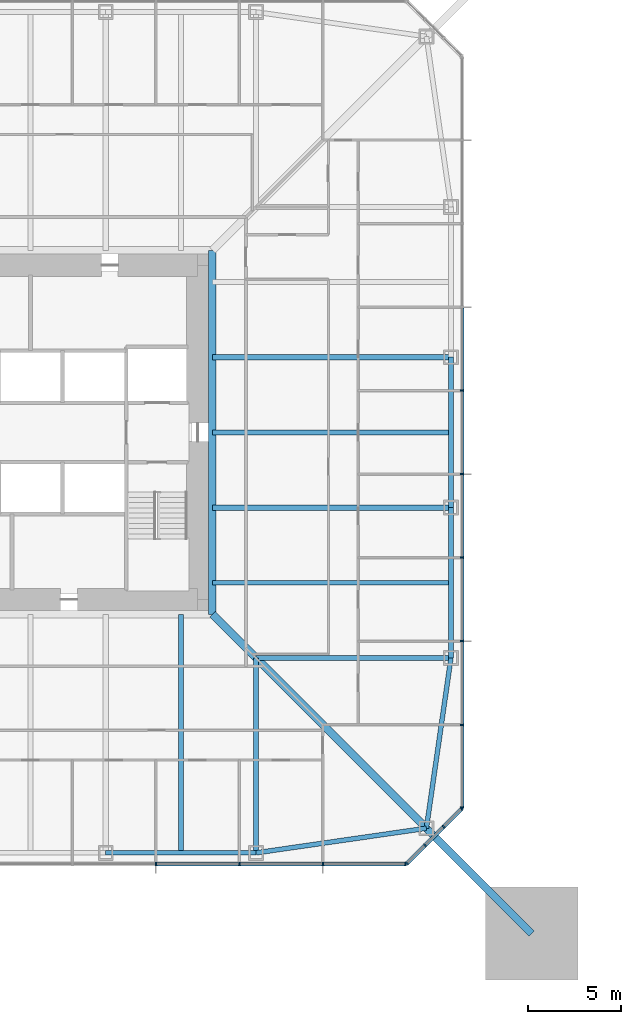
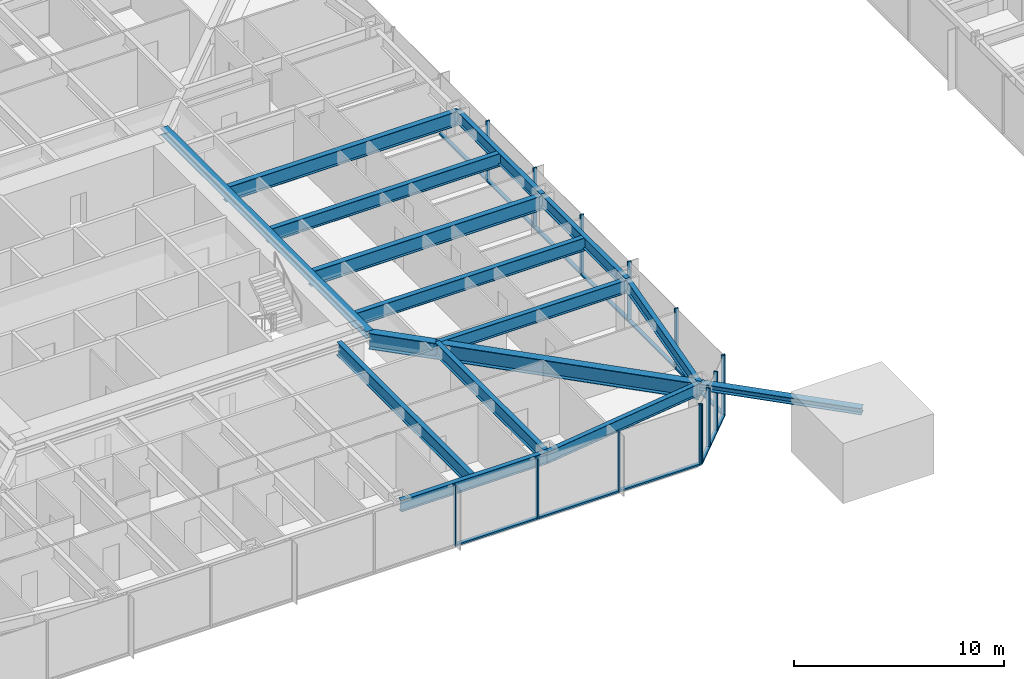
# One storey, part 5 of 26: 27 members, 14 beams, 3 elements without a shape of their own.
"""IFC4 building model written with IfcOpenShell, lengths in metres."""

from ifc_helpers import new_model, si_unit, direction, frame, origin, origin_2d, place, context, subcontext, project, spatial, rectangle, i_section, extrude, material, material_profile, profile_set, type_object, element, aggregate, save


model = new_model("IFC4")

# Units and contexts
model_context = context("Model", 3, precision=1e-05, world=origin(), true_north=direction((0.0, 1.0)))
body_context = subcontext(model_context, "Body", "Model", "MODEL_VIEW")
ifc_project = project(units=[si_unit("LENGTHUNIT", "METRE"), si_unit("AREAUNIT", "SQUARE_METRE"), si_unit("VOLUMEUNIT", "CUBIC_METRE"), si_unit("PLANEANGLEUNIT", "RADIAN"), si_unit("MASSUNIT", "GRAM", prefix="KILO")], contexts=[model_context])

# Site, building, storey
site_placement = place(None, origin())
site = spatial("IfcSite", under=ifc_project, at=site_placement, CompositionType="ELEMENT")
building_placement = place(site_placement, origin())
building = spatial("IfcBuilding", under=site, at=building_placement, Name="Iwan Alto Co-Living Towers", CompositionType="ELEMENT")
storey_placement = place(building_placement, frame((0.0, 0.0, 18.5)))
storey = spatial("IfcBuildingStorey", under=building, at=storey_placement, Name="L04", CompositionType="ELEMENT", Elevation=18.5)

# Curtain wall, members
ifc_material_1 = material(Name="Bronze aluminium unitised frame", Category="aluminium")
curtain_wall_type_1 = type_object("IfcCurtainWallType", Name="CURTAIN WALL CW-A", PredefinedType="NOTDEFINED", material=ifc_material_1)
curtain_wall_1_placement = place(storey_placement, origin())
curtain_wall_1 = element("IfcCurtainWall", 1, at=curtain_wall_1_placement, inside=storey, type_object=curtain_wall_type_1, Name="T1 curtain wall S L04", PredefinedType="NOTDEFINED")
ifc_material_2 = material(Name="Aluminium 6063-T6 bronze anodised", Category="aluminium")
ifc_material_profile_1 = material_profile(ifc_material_2, rectangle(XDim=0.199951171875, YDim=0.080078125, at=origin_2d()), Name="AL 80X200")
ifc_profile_set_1 = profile_set([ifc_material_profile_1], Name="Aluminium 6063-T6 bronze anodised")
member_type_1 = type_object("IfcMemberType", Name="CW-A MULLION 80X200", PredefinedType="MULLION", material=ifc_profile_set_1)
member_1_placement = place(storey_placement, frame((6.75, -23.25, 0.0), z_axis=(0.0, 0.0, 1.0), x_axis=(0.0, 1.0, 0.0)))
member_1 = element("IfcMember", 2, at=member_1_placement, type_object=member_type_1, Name="CW-A mullion 7", PredefinedType="MULLION", context=body_context, shape_type="SweptSolid", body=[
    extrude(rectangle(XDim=0.199951171875, YDim=0.080078125, at=origin_2d()), origin(), (0.0, 0.0, 1.0), 3.5),
])
member_2_placement = place(storey_placement, frame((11.25, -23.25, 0.0), z_axis=(0.0, 0.0, 1.0), x_axis=(0.0, 1.0, 0.0)))
member_2 = element("IfcMember", 3, at=member_2_placement, type_object=member_type_1, Name="CW-A mullion 8", PredefinedType="MULLION", context=body_context, shape_type="SweptSolid", body=[
    extrude(rectangle(XDim=0.199951171875, YDim=0.080078125, at=origin_2d()), origin(), (0.0, 0.0, 1.0), 3.5),
])
member_3_placement = place(storey_placement, frame((15.75, -23.25, 0.0), z_axis=(0.0, 0.0, 1.0), x_axis=(0.0, 1.0, 0.0)))
member_3 = element("IfcMember", 4, at=member_3_placement, type_object=member_type_1, Name="CW-A mullion 9", PredefinedType="MULLION", context=body_context, shape_type="SweptSolid", body=[
    extrude(rectangle(XDim=0.199951171875, YDim=0.080078125, at=origin_2d()), origin(), (0.0, 0.0, 1.0), 3.5),
])
member_4_placement = place(storey_placement, frame((20.2099609375, -23.25, 0.0), z_axis=(0.0, 0.0, 1.0), x_axis=(0.0, 1.0, 0.0)))
member_4 = element("IfcMember", 5, at=member_4_placement, type_object=member_type_1, Name="CW-A mullion 10", PredefinedType="MULLION", context=body_context, shape_type="SweptSolid", body=[
    extrude(rectangle(XDim=0.199951171875, YDim=0.080078125, at=origin_2d()), origin(), (0.0, 0.0, 1.0), 3.5),
])

curtain_wall_2_placement = place(storey_placement, origin())
curtain_wall_2 = element("IfcCurtainWall", 6, at=curtain_wall_2_placement, inside=storey, type_object=curtain_wall_type_1, Name="T1 curtain wall E L04", PredefinedType="NOTDEFINED")
member_5_placement = place(storey_placement, frame((23.25, -20.2099609375, 0.0), z_axis=(0.0, 0.0, 1.0), x_axis=(-1.0, 0.0, 0.0)))
member_5 = element("IfcMember", 7, at=member_5_placement, type_object=member_type_1, Name="CW-A mullion 1", PredefinedType="MULLION", context=body_context, shape_type="SweptSolid", body=[
    extrude(rectangle(XDim=0.199951171875, YDim=0.080078125, at=origin_2d()), origin(), (0.0, 0.0, 1.0), 3.5),
])
member_6_placement = place(storey_placement, frame((23.25, -15.75, 0.0), z_axis=(0.0, 0.0, 1.0), x_axis=(-1.0, 0.0, 0.0)))
member_6 = element("IfcMember", 8, at=member_6_placement, type_object=member_type_1, Name="CW-A mullion 2", PredefinedType="MULLION", context=body_context, shape_type="SweptSolid", body=[
    extrude(rectangle(XDim=0.199951171875, YDim=0.080078125, at=origin_2d()), origin(), (0.0, 0.0, 1.0), 3.5),
])
member_7_placement = place(storey_placement, frame((23.25, -11.25, 0.0), z_axis=(0.0, 0.0, 1.0), x_axis=(-1.0, 0.0, 0.0)))
member_7 = element("IfcMember", 9, at=member_7_placement, type_object=member_type_1, Name="CW-A mullion 3", PredefinedType="MULLION", context=body_context, shape_type="SweptSolid", body=[
    extrude(rectangle(XDim=0.199951171875, YDim=0.080078125, at=origin_2d()), origin(), (0.0, 0.0, 1.0), 3.5),
])
member_8_placement = place(storey_placement, frame((23.25, -6.75, 0.0), z_axis=(0.0, 0.0, 1.0), x_axis=(-1.0, 0.0, 0.0)))
member_8 = element("IfcMember", 10, at=member_8_placement, type_object=member_type_1, Name="CW-A mullion 4", PredefinedType="MULLION", context=body_context, shape_type="SweptSolid", body=[
    extrude(rectangle(XDim=0.199951171875, YDim=0.080078125, at=origin_2d()), origin(), (0.0, 0.0, 1.0), 3.5),
])
member_9_placement = place(storey_placement, frame((23.25, -2.25, 0.0), z_axis=(0.0, 0.0, 1.0), x_axis=(-1.0, 0.0, 0.0)))
member_9 = element("IfcMember", 11, at=member_9_placement, type_object=member_type_1, Name="CW-A mullion 5", PredefinedType="MULLION", context=body_context, shape_type="SweptSolid", body=[
    extrude(rectangle(XDim=0.199951171875, YDim=0.080078125, at=origin_2d()), origin(), (0.0, 0.0, 1.0), 3.5),
])
member_10_placement = place(storey_placement, frame((23.25, 2.25, 0.0), z_axis=(0.0, 0.0, 1.0), x_axis=(-1.0, 0.0, 0.0)))
member_10 = element("IfcMember", 12, at=member_10_placement, type_object=member_type_1, Name="CW-A mullion 6", PredefinedType="MULLION", context=body_context, shape_type="SweptSolid", body=[
    extrude(rectangle(XDim=0.199951171875, YDim=0.080078125, at=origin_2d()), origin(), (0.0, 0.0, 1.0), 3.5),
])

# Member
ifc_material_3 = material(Name="Aluminium 6063-T6 bronze anodised", Category="aluminium")
ifc_material_profile_2 = material_profile(ifc_material_3, rectangle(XDim=0.199951171875, YDim=0.10009765625, at=origin_2d()), Name="AL 200X100")
ifc_profile_set_2 = profile_set([ifc_material_profile_2], Name="Aluminium 6063-T6 bronze anodised")
member_type_2 = type_object("IfcMemberType", Name="CW-A TRANSOM 200X100", PredefinedType="USERDEFINED", material=ifc_profile_set_2)
member_11_placement = place(storey_placement, frame((6.7900390625, -23.25, 0.050048828125), z_axis=(1.0, 0.0, 0.0), x_axis=(0.0, 1.0, 0.0)))
member_11 = element("IfcMember", 13, at=member_11_placement, type_object=member_type_2, Name="CW-A transom 7.1", ObjectType="TRANSOM", PredefinedType="USERDEFINED", context=body_context, shape_type="SweptSolid", body=[
    extrude(rectangle(XDim=0.199951171875, YDim=0.10009765625, at=origin_2d()), origin(), (0.0, 0.0, 1.0), 4.419921875),
])

member_12_placement = place(storey_placement, frame((11.2900390625, -23.25, 0.050048828125), z_axis=(1.0, 0.0, 0.0), x_axis=(0.0, 1.0, 0.0)))
member_12 = element("IfcMember", 14, at=member_12_placement, type_object=member_type_2, Name="CW-A transom 8.1", ObjectType="TRANSOM", PredefinedType="USERDEFINED", context=body_context, shape_type="SweptSolid", body=[
    extrude(rectangle(XDim=0.199951171875, YDim=0.10009765625, at=origin_2d()), origin(), (0.0, 0.0, 1.0), 4.419921875),
])

member_13_placement = place(storey_placement, frame((15.7900390625, -23.25, 0.050048828125), z_axis=(1.0, 0.0, 0.0), x_axis=(0.0, 1.0, 0.0)))
member_13 = element("IfcMember", 15, at=member_13_placement, type_object=member_type_2, Name="CW-A transom 9.1", ObjectType="TRANSOM", PredefinedType="USERDEFINED", context=body_context, shape_type="SweptSolid", body=[
    extrude(rectangle(XDim=0.199951171875, YDim=0.10009765625, at=origin_2d()), origin(), (0.0, 0.0, 1.0), 4.3798828125),
])

aggregate(curtain_wall_1, [member_1, member_2, member_3, member_4, member_11, member_12, member_13])

member_14_placement = place(storey_placement, frame((23.25, -20.169921875, 0.050048828125), z_axis=(0.0, 1.0, 0.0), x_axis=(-1.0, 0.0, 0.0)))
member_14 = element("IfcMember", 16, at=member_14_placement, type_object=member_type_2, Name="CW-A transom 1.1", ObjectType="TRANSOM", PredefinedType="USERDEFINED", context=body_context, shape_type="SweptSolid", body=[
    extrude(rectangle(XDim=0.199951171875, YDim=0.10009765625, at=origin_2d()), origin(), (0.0, 0.0, 1.0), 4.3798828125),
])

member_15_placement = place(storey_placement, frame((23.25, -15.7099609375, 0.050048828125), z_axis=(0.0, 1.0, 0.0), x_axis=(-1.0, 0.0, 0.0)))
member_15 = element("IfcMember", 17, at=member_15_placement, type_object=member_type_2, Name="CW-A transom 2.1", ObjectType="TRANSOM", PredefinedType="USERDEFINED", context=body_context, shape_type="SweptSolid", body=[
    extrude(rectangle(XDim=0.199951171875, YDim=0.10009765625, at=origin_2d()), origin(), (0.0, 0.0, 1.0), 4.419921875),
])

member_16_placement = place(storey_placement, frame((23.25, -11.2099609375, 0.050048828125), z_axis=(0.0, 1.0, 0.0), x_axis=(-1.0, 0.0, 0.0)))
member_16 = element("IfcMember", 18, at=member_16_placement, type_object=member_type_2, Name="CW-A transom 3.1", ObjectType="TRANSOM", PredefinedType="USERDEFINED", context=body_context, shape_type="SweptSolid", body=[
    extrude(rectangle(XDim=0.199951171875, YDim=0.10009765625, at=origin_2d()), origin(), (0.0, 0.0, 1.0), 4.419921875),
])

member_17_placement = place(storey_placement, frame((23.25, -6.7099609375, 0.050048828125), z_axis=(0.0, 1.0, 0.0), x_axis=(-1.0, 0.0, 0.0)))
member_17 = element("IfcMember", 19, at=member_17_placement, type_object=member_type_2, Name="CW-A transom 4.1", ObjectType="TRANSOM", PredefinedType="USERDEFINED", context=body_context, shape_type="SweptSolid", body=[
    extrude(rectangle(XDim=0.199951171875, YDim=0.10009765625, at=origin_2d()), origin(), (0.0, 0.0, 1.0), 4.419921875),
])

member_18_placement = place(storey_placement, frame((23.25, -2.2099609375, 0.050048828125), z_axis=(0.0, 1.0, 0.0), x_axis=(-1.0, 0.0, 0.0)))
member_18 = element("IfcMember", 20, at=member_18_placement, type_object=member_type_2, Name="CW-A transom 5.1", ObjectType="TRANSOM", PredefinedType="USERDEFINED", context=body_context, shape_type="SweptSolid", body=[
    extrude(rectangle(XDim=0.199951171875, YDim=0.10009765625, at=origin_2d()), origin(), (0.0, 0.0, 1.0), 4.419921875),
])

member_19_placement = place(storey_placement, frame((23.25, 2.2900390625, 0.050048828125), z_axis=(0.0, 1.0, 0.0), x_axis=(-1.0, 0.0, 0.0)))
member_19 = element("IfcMember", 21, at=member_19_placement, type_object=member_type_2, Name="CW-A transom 6.1", ObjectType="TRANSOM", PredefinedType="USERDEFINED", context=body_context, shape_type="SweptSolid", body=[
    extrude(rectangle(XDim=0.199951171875, YDim=0.10009765625, at=origin_2d()), origin(), (0.0, 0.0, 1.0), 4.419921875),
])

aggregate(curtain_wall_2, [member_5, member_6, member_7, member_8, member_9, member_10, member_14, member_15, member_16, member_17, member_18, member_19])

# Curtain wall, members
ifc_material_4 = material(Name="Bronze aluminium unitised frame", Category="aluminium")
curtain_wall_type_2 = type_object("IfcCurtainWallType", Name="CURTAIN WALL CW-B", PredefinedType="NOTDEFINED", material=ifc_material_4)
curtain_wall_3_placement = place(storey_placement, origin())
curtain_wall_3 = element("IfcCurtainWall", 22, at=curtain_wall_3_placement, inside=storey, type_object=curtain_wall_type_2, Name="T1 chamfer curtain wall SE L04", PredefinedType="NOTDEFINED")
ifc_material_5 = material(Name="Aluminium 6063-T6 bronze anodised", Category="aluminium")
ifc_material_profile_3 = material_profile(ifc_material_5, rectangle(XDim=0.199951171875, YDim=0.080078125, at=origin_2d()), Name="AL 80X200")
ifc_profile_set_3 = profile_set([ifc_material_profile_3], Name="Aluminium 6063-T6 bronze anodised")
member_type_3 = type_object("IfcMemberType", Name="CW-B MULLION 80X200", PredefinedType="MULLION", material=ifc_profile_set_3)
member_20_placement = place(storey_placement, frame((20.2783203125, -23.2216796875, 0.0), z_axis=(0.0, 0.0, 1.0), x_axis=(-0.707106781187, 0.707106781187, 0.0)))
member_20 = element("IfcMember", 23, at=member_20_placement, type_object=member_type_3, Name="CW-B mullion 1", PredefinedType="MULLION", context=body_context, shape_type="SweptSolid", body=[
    extrude(rectangle(XDim=0.199951171875, YDim=0.080078125, at=origin_2d()), origin(), (0.0, 0.0, 1.0), 3.5),
])
member_21_placement = place(storey_placement, frame((21.25, -22.25, 0.0), z_axis=(0.0, 0.0, 1.0), x_axis=(-0.707106781187, 0.707106781187, 0.0)))
member_21 = element("IfcMember", 24, at=member_21_placement, type_object=member_type_3, Name="CW-B mullion 2", PredefinedType="MULLION", context=body_context, shape_type="SweptSolid", body=[
    extrude(rectangle(XDim=0.199951171875, YDim=0.080078125, at=origin_2d()), origin(), (0.0, 0.0, 1.0), 3.5),
])
member_22_placement = place(storey_placement, frame((22.25, -21.25, 0.0), z_axis=(0.0, 0.0, 1.0), x_axis=(-0.707106781187, 0.707106781187, 0.0)))
member_22 = element("IfcMember", 25, at=member_22_placement, type_object=member_type_3, Name="CW-B mullion 3", PredefinedType="MULLION", context=body_context, shape_type="SweptSolid", body=[
    extrude(rectangle(XDim=0.199951171875, YDim=0.080078125, at=origin_2d()), origin(), (0.0, 0.0, 1.0), 3.5),
])
member_23_placement = place(storey_placement, frame((23.2216796875, -20.2783203125, 0.0), z_axis=(0.0, 0.0, 1.0), x_axis=(-0.707106781187, 0.707106781187, 0.0)))
member_23 = element("IfcMember", 26, at=member_23_placement, type_object=member_type_3, Name="CW-B mullion 4", PredefinedType="MULLION", context=body_context, shape_type="SweptSolid", body=[
    extrude(rectangle(XDim=0.199951171875, YDim=0.080078125, at=origin_2d()), origin(), (0.0, 0.0, 1.0), 3.5),
])
ifc_material_6 = material(Name="Aluminium 6063-T6 bronze anodised", Category="aluminium")
ifc_material_profile_4 = material_profile(ifc_material_6, rectangle(XDim=0.199951171875, YDim=0.10009765625, at=origin_2d()), Name="AL 200X100")
ifc_profile_set_4 = profile_set([ifc_material_profile_4], Name="Aluminium 6063-T6 bronze anodised")
member_type_4 = type_object("IfcMemberType", Name="CW-B TRANSOM 200X100", PredefinedType="USERDEFINED", material=ifc_profile_set_4)
member_24_placement = place(storey_placement, frame((20.306640625, -23.193359375, 0.050048828125), z_axis=(0.707106781187, 0.707106781187, 0.0), x_axis=(-0.707106781187, 0.707106781187, 0.0)))
member_24 = element("IfcMember", 27, at=member_24_placement, type_object=member_type_4, Name="CW-B transom 1.1", ObjectType="TRANSOM", PredefinedType="USERDEFINED", context=body_context, shape_type="SweptSolid", body=[
    extrude(rectangle(XDim=0.199951171875, YDim=0.10009765625, at=origin_2d()), origin(), (0.0, 0.0, 1.0), 1.2939453125),
])
member_25_placement = place(storey_placement, frame((21.2783203125, -22.2216796875, 0.050048828125), z_axis=(0.707106781187, 0.707106781187, 0.0), x_axis=(-0.707106781187, 0.707106781187, 0.0)))
member_25 = element("IfcMember", 28, at=member_25_placement, type_object=member_type_4, Name="CW-B transom 2.1", ObjectType="TRANSOM", PredefinedType="USERDEFINED", context=body_context, shape_type="SweptSolid", body=[
    extrude(rectangle(XDim=0.199951171875, YDim=0.10009765625, at=origin_2d()), origin(), (0.0, 0.0, 1.0), 1.334228515625),
])
member_26_placement = place(storey_placement, frame((22.2783203125, -21.2216796875, 0.050048828125), z_axis=(0.707106781187, 0.707106781187, 0.0), x_axis=(-0.707106781187, 0.707106781187, 0.0)))
member_26 = element("IfcMember", 29, at=member_26_placement, type_object=member_type_4, Name="CW-B transom 3.1", ObjectType="TRANSOM", PredefinedType="USERDEFINED", context=body_context, shape_type="SweptSolid", body=[
    extrude(rectangle(XDim=0.199951171875, YDim=0.10009765625, at=origin_2d()), origin(), (0.0, 0.0, 1.0), 1.2939453125),
])
aggregate(curtain_wall_3, [member_20, member_21, member_22, member_23, member_24, member_25, member_26])

# Beams
ifc_material_7 = material(Name="Steel ASTM A992 Gr 50", Category="steel")
ifc_material_profile_5 = material_profile(ifc_material_7, i_section(OverallWidth=0.40380859375, OverallDepth=0.406494140625, WebThickness=0.027099609375, FlangeThickness=0.043701171875, at=origin_2d()), Name="W14X233")
ifc_profile_set_5 = profile_set([ifc_material_profile_5], Name="Steel ASTM A992 Gr 50")
beam_type_1 = type_object("IfcBeamType", Name="T1 CORE LEDGER BEAM W14X233", PredefinedType="BEAM", material=ifc_profile_set_5)
beam_1_placement = place(storey_placement, frame((9.802001953125, -9.802001953125, 3.06689453125), z_axis=(0.0, 1.0, 0.0), x_axis=(-1.0, 0.0, 0.0)))
element("IfcBeam", 30, at=beam_1_placement, inside=storey, type_object=beam_type_1, Name="T1 core ledger beam E L05", PredefinedType="BEAM", context=body_context, shape_type="SweptSolid", body=[
    extrude(i_section(OverallWidth=0.40380859375, OverallDepth=0.406494140625, WebThickness=0.027099609375, FlangeThickness=0.043701171875, at=origin_2d()), origin(), (0.0, 0.0, 1.0), 19.60400390625),
])
ifc_material_8 = material(Name="Steel ASTM A992 Gr 50", Category="steel")
ifc_material_profile_6 = material_profile(ifc_material_8, i_section(OverallWidth=0.419189453125, OverallDepth=0.927001953125, WebThickness=0.019287109375, FlangeThickness=0.031982421875, at=origin_2d()), Name="W36X231")
ifc_profile_set_6 = profile_set([ifc_material_profile_6], Name="Steel ASTM A992 Gr 50")
beam_type_2 = type_object("IfcBeamType", Name="T1 CORNER GIRDER W36X231", PredefinedType="BEAM", material=ifc_profile_set_6)
beam_2_placement = place(storey_placement, frame((21.32568359375, -21.32568359375, 2.806396484375), z_axis=(-0.707106781187, 0.707106781187, 0.0), x_axis=(-0.707106781187, -0.707106781187, 0.0)))
element("IfcBeam", 31, at=beam_2_placement, inside=storey, type_object=beam_type_2, Name="T1 corner girder CSE L05", PredefinedType="BEAM", context=body_context, shape_type="SweptSolid", body=[
    extrude(i_section(OverallWidth=0.419189453125, OverallDepth=0.927001953125, WebThickness=0.019287109375, FlangeThickness=0.031982421875, at=origin_2d()), origin(), (0.0, 0.0, 1.0), 16.296875),
])
ifc_material_9 = material(Name="Steel ASTM A992 Gr 50", Category="steel")
ifc_material_profile_7 = material_profile(ifc_material_9, i_section(OverallWidth=0.25390625, OverallDepth=0.683349609375, WebThickness=0.012451171875, FlangeThickness=0.018798828125, at=origin_2d()), Name="W27X94")
ifc_profile_set_7 = profile_set([ifc_material_profile_7], Name="Steel ASTM A992 Gr 50")
beam_type_3 = type_object("IfcBeamType", Name="T1 EDGE BEAM W27X94", PredefinedType="BEAM", material=ifc_profile_set_7)
beam_3_placement = place(storey_placement, frame((4.050048828125, -22.64990234375, 2.928466796875), z_axis=(1.0, 0.0, 0.0), x_axis=(0.0, 1.0, 0.0)))
element("IfcBeam", 32, at=beam_3_placement, inside=storey, type_object=beam_type_3, Name="T1 edge beam S3 L05", PredefinedType="BEAM", context=body_context, shape_type="SweptSolid", body=[
    extrude(i_section(OverallWidth=0.25390625, OverallDepth=0.683349609375, WebThickness=0.012451171875, FlangeThickness=0.018798828125, at=origin_2d()), origin(), (0.0, 0.0, 1.0), 8.099853515625),
])
for number, where, z_axis, x_axis, name in (
    (33, (12.14990234375, -22.64990234375, 2.928466796875), (0.989746234347, 0.142836940589, 0.0), (-0.142836940589, 0.989746234347, 0.0), "T1 edge beam S4 L05"),
    (34, (21.32568359375, -21.32568359375, 2.928466796875), (0.142836940589, 0.989746234347, 0.0), (-0.989746234347, 0.142836940589, 0.0), "T1 edge beam CSE L05"),
):
    element("IfcBeam", number, at=place(storey_placement, frame(where, z_axis=z_axis, x_axis=x_axis)), inside=storey, type_object=beam_type_3, Name=name, PredefinedType="BEAM", context=body_context, shape_type="SweptSolid", body=[
        extrude(i_section(OverallWidth=0.25390625, OverallDepth=0.683349609375, WebThickness=0.012451171875, FlangeThickness=0.018798828125, at=origin_2d()), origin(), (0.0, 0.0, 1.0), 9.270751953125),
    ])
beam_4_placement = place(storey_placement, frame((22.64990234375, -12.14990234375, 2.928466796875), z_axis=(0.0, 1.0, 0.0), x_axis=(-1.0, 0.0, 0.0)))
element("IfcBeam", 35, at=beam_4_placement, inside=storey, type_object=beam_type_3, Name="T1 edge beam E1 L05", PredefinedType="BEAM", context=body_context, shape_type="SweptSolid", body=[
    extrude(i_section(OverallWidth=0.25390625, OverallDepth=0.683349609375, WebThickness=0.012451171875, FlangeThickness=0.018798828125, at=origin_2d()), origin(), (0.0, 0.0, 1.0), 8.099853515625),
])
beam_5_placement = place(storey_placement, frame((22.64990234375, -4.050048828125, 2.928466796875), z_axis=(0.0, 1.0, 0.0), x_axis=(-1.0, 0.0, 0.0)))
element("IfcBeam", 36, at=beam_5_placement, inside=storey, type_object=beam_type_3, Name="T1 edge beam E2 L05", PredefinedType="BEAM", context=body_context, shape_type="SweptSolid", body=[
    extrude(i_section(OverallWidth=0.25390625, OverallDepth=0.683349609375, WebThickness=0.012451171875, FlangeThickness=0.018798828125, at=origin_2d()), origin(), (0.0, 0.0, 1.0), 8.10009765625),
])

# Member
ifc_material_10 = material(Name="Steel ASTM A992 Gr 50", Category="steel")
ifc_material_profile_8 = material_profile(ifc_material_10, i_section(OverallWidth=0.393798828125, OverallDepth=0.3759765625, WebThickness=0.017333984375, FlangeThickness=0.027587890625, at=origin_2d()), Name="W14X145")
ifc_profile_set_8 = profile_set([ifc_material_profile_8], Name="Steel ASTM A992 Gr 50")
member_type_5 = type_object("IfcMemberType", Name="T1 MEGA COLUMN FLOOR TIE W14X145", PredefinedType="STRUT", material=ifc_profile_set_8)
member_27_placement = place(storey_placement, frame((27.0, -27.0, 3.08203125), z_axis=(-0.707106781187, 0.707106781187, 0.0), x_axis=(-0.707106781187, -0.707106781187, 0.0)))
element("IfcMember", 37, at=member_27_placement, inside=storey, type_object=member_type_5, Name="T1 mega column floor tie SE L05", PredefinedType="STRUT", context=body_context, shape_type="SweptSolid", body=[
    extrude(i_section(OverallWidth=0.393798828125, OverallDepth=0.3759765625, WebThickness=0.017333984375, FlangeThickness=0.027587890625, at=origin_2d()), origin(), (0.0, 0.0, 1.0), 8.024658203125),
])

# Beams
ifc_material_11 = material(Name="Steel ASTM A992 Gr 50", Category="steel")
ifc_material_profile_9 = material_profile(ifc_material_11, i_section(OverallWidth=0.2666015625, OverallDepth=0.761962890625, WebThickness=0.014404296875, FlangeThickness=0.021484375, at=origin_2d()), Name="W30X116")
ifc_profile_set_9 = profile_set([ifc_material_profile_9], Name="Steel ASTM A992 Gr 50")
beam_type_4 = type_object("IfcBeamType", Name="T1 RADIAL BEAM W30X116", PredefinedType="BEAM", material=ifc_profile_set_9)
for number, where, z_axis, x_axis, name in (
    (38, (12.14990234375, -22.64990234375, 2.888916015625), (0.0, 1.0, 0.0), (-1.0, 0.0, 0.0), "T1 radial beam S4 L05"),
    (39, (22.64990234375, -12.14990234375, 2.888916015625), (-1.0, 0.0, 0.0), (0.0, -1.0, 0.0), "T1 radial beam E1 L05"),
):
    element("IfcBeam", number, at=place(storey_placement, frame(where, z_axis=z_axis, x_axis=x_axis)), inside=storey, type_object=beam_type_4, Name=name, PredefinedType="BEAM", context=body_context, shape_type="SweptSolid", body=[
        extrude(i_section(OverallWidth=0.2666015625, OverallDepth=0.761962890625, WebThickness=0.014404296875, FlangeThickness=0.021484375, at=origin_2d()), origin(), (0.0, 0.0, 1.0), 10.5),
    ])
ifc_material_12 = material(Name="Steel ASTM A992 Gr 50", Category="steel")
ifc_material_profile_10 = material_profile(ifc_material_12, i_section(OverallWidth=0.2919921875, OverallDepth=0.8408203125, WebThickness=0.0146484375, FlangeThickness=0.021728515625, at=origin_2d()), Name="W33X130")
ifc_profile_set_10 = profile_set([ifc_material_profile_10], Name="Steel ASTM A992 Gr 50")
beam_type_5 = type_object("IfcBeamType", Name="T1 RADIAL BEAM W33X130", PredefinedType="BEAM", material=ifc_profile_set_10)
for number, where, z_axis, x_axis, name in (
    (40, (22.64990234375, -4.050048828125, 2.849609375), (-1.0, 0.0, 0.0), (0.0, -1.0, 0.0), "T1 radial beam E2 L05"),
    (41, (22.64990234375, 4.050048828125, 2.849609375), (-1.0, 0.0, 0.0), (0.0, -1.0, 0.0), "T1 radial beam E3 L05"),
):
    element("IfcBeam", number, at=place(storey_placement, frame(where, z_axis=z_axis, x_axis=x_axis)), inside=storey, type_object=beam_type_5, Name=name, PredefinedType="BEAM", context=body_context, shape_type="SweptSolid", body=[
        extrude(i_section(OverallWidth=0.2919921875, OverallDepth=0.8408203125, WebThickness=0.0146484375, FlangeThickness=0.021728515625, at=origin_2d()), origin(), (0.0, 0.0, 1.0), 12.847900390625),
    ])
ifc_material_13 = material(Name="Steel ASTM A992 Gr 50", Category="steel")
ifc_material_profile_11 = material_profile(ifc_material_13, i_section(OverallWidth=0.2666015625, OverallDepth=0.761962890625, WebThickness=0.014404296875, FlangeThickness=0.021484375, at=origin_2d()), Name="W30X116")
ifc_profile_set_11 = profile_set([ifc_material_profile_11], Name="Steel ASTM A992 Gr 50")
beam_type_6 = type_object("IfcBeamType", Name="T1 SECONDARY BEAM W30X116", PredefinedType="JOIST", material=ifc_profile_set_11)
for number, where, z_axis, x_axis, name in (
    (42, (8.10009765625, -22.64990234375, 2.888916015625), (0.0, 1.0, 0.0), (-1.0, 0.0, 0.0), "T1 secondary beam S3 L05"),
    (43, (22.64990234375, -8.10009765625, 2.888916015625), (-1.0, 0.0, 0.0), (0.0, -1.0, 0.0), "T1 secondary beam E1 L05"),
    (44, (22.64990234375, 0.0, 2.888916015625), (-1.0, 0.0, 0.0), (0.0, -1.0, 0.0), "T1 secondary beam E2 L05"),
):
    element("IfcBeam", number, at=place(storey_placement, frame(where, z_axis=z_axis, x_axis=x_axis)), inside=storey, type_object=beam_type_6, Name=name, PredefinedType="JOIST", context=body_context, shape_type="SweptSolid", body=[
        extrude(i_section(OverallWidth=0.2666015625, OverallDepth=0.761962890625, WebThickness=0.014404296875, FlangeThickness=0.021484375, at=origin_2d()), origin(), (0.0, 0.0, 1.0), 12.847900390625),
    ])

save(model, "model.ifc")
